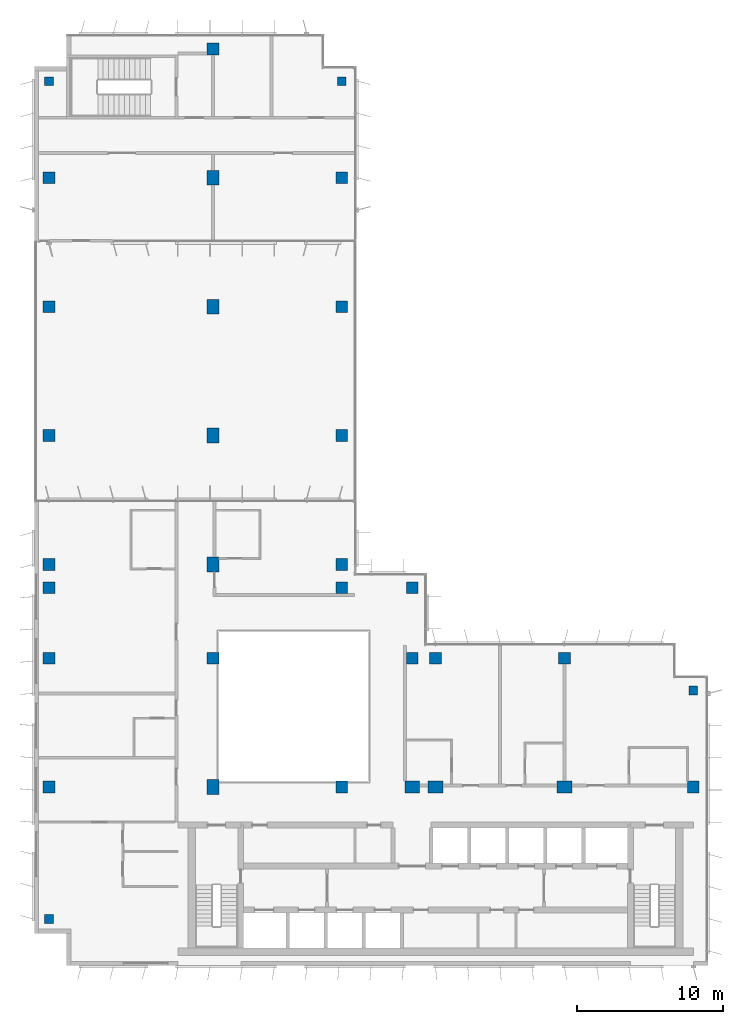
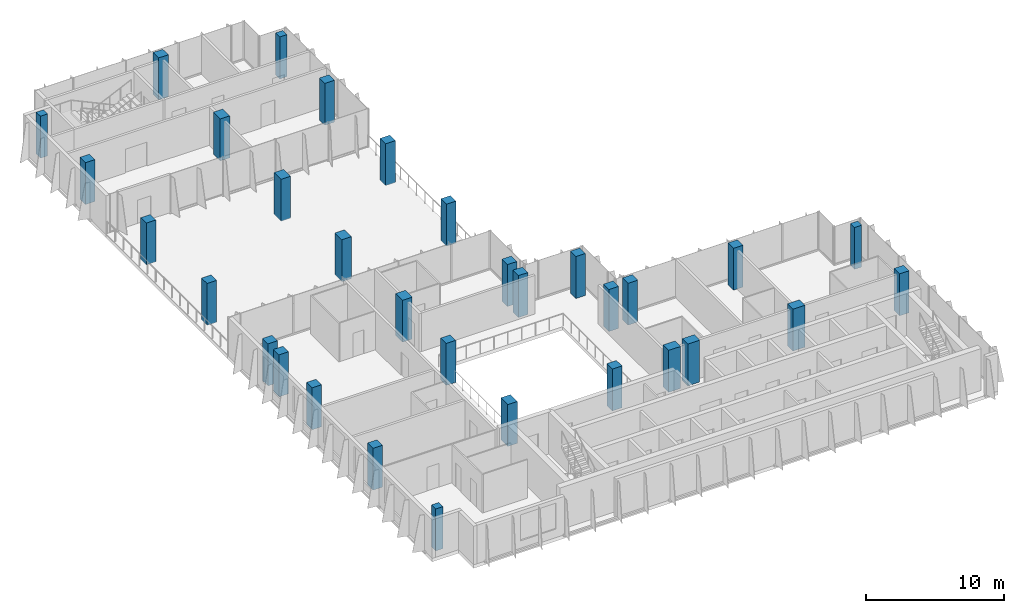
# One storey, part 1 of 15: 32 columns.
"""IFC4 building model written with IfcOpenShell, lengths in metres."""

import ifcopenshell
import ifcopenshell.guid

model = None  # the IFC model being written
_history = None  # IfcOwnerHistory: only IFC2X3 demands one
_inside = {}  # id of a spatial element -> (the spatial element, [elements in it])
_under = {}  # id of a project, library or spatial element -> (it, [spatial elements below it])
_declared = {}  # id of a project -> (the project, [libraries it declares])
_typed = {}  # id of a type object -> (the type object, [elements of that type])
_made_of = {}  # id of a material, layer set ... -> (it, [elements and type objects made of it])


def new_model(schema):
    """Start an empty IFC model of exactly this schema.

    Asked for "IFC4X3", IfcOpenShell would pick the latest addendum, in which some entities
    have other attributes; the version numbers below select the first issue.
    IFC2X3 requires an IfcOwnerHistory on every rooted entity: one is made here for all.
    """
    global model, _history
    if schema == "IFC4X3":
        model = ifcopenshell.file(schema_version=(4, 3, 0, 0))
    else:
        model = ifcopenshell.file(schema=schema)
    _inside.clear()
    _under.clear()
    _declared.clear()
    _typed.clear()
    _made_of.clear()
    _history = None
    if model.schema == "IFC2X3":
        org = make("IfcOrganization", Name="unknown")
        user = make(
            "IfcPersonAndOrganization",
            ThePerson=make("IfcPerson", FamilyName="unknown"),
            TheOrganization=org,
        )
        app = make(
            "IfcApplication",
            ApplicationDeveloper=org,
            Version="unknown",
            ApplicationFullName="unknown",
            ApplicationIdentifier="unknown",
        )
        _history = make(
            "IfcOwnerHistory",
            OwningUser=user,
            OwningApplication=app,
            ChangeAction="ADDED",
            CreationDate=0,
        )
    return model


def make(cls, **values):
    """One entity of the class cls with the attributes given. An attribute that is None is left unset."""
    return model.create_entity(
        cls, **{name: value for name, value in values.items() if value is not None}
    )


def rooted(cls, **values):
    """An entity with a GlobalId (a new one), such as an element, a storey or a relation."""
    return make(cls, GlobalId=ifcopenshell.guid.new(), OwnerHistory=_history, **values)


def si_unit(unit_type, name, prefix=None):
    """IfcSIUnit, for example si_unit("LENGTHUNIT", "METRE", prefix="MILLI")."""
    return make("IfcSIUnit", UnitType=unit_type, Prefix=prefix, Name=name)


def assignment(units):
    """IfcUnitAssignment: the units of a project."""
    return None if units is None else make("IfcUnitAssignment", Units=units)


def point(xyz):
    """IfcCartesianPoint."""
    return None if xyz is None else make("IfcCartesianPoint", Coordinates=xyz)


def direction(xyz):
    """IfcDirection."""
    return None if xyz is None else make("IfcDirection", DirectionRatios=xyz)


def frame(location, z_axis=None, x_axis=None):
    """IfcAxis2Placement3D, a coordinate frame: its origin and axes. An axis left out is left unset."""
    return make(
        "IfcAxis2Placement3D",
        Location=point(location),
        Axis=direction(z_axis),
        RefDirection=direction(x_axis),
    )


def frame_2d(location, x_axis=None):
    """IfcAxis2Placement2D, a coordinate frame in the plane: its origin and x axis."""
    return make(
        "IfcAxis2Placement2D", Location=point(location), RefDirection=direction(x_axis)
    )


def origin():
    """The frame at (0, 0, 0) with its axes left unset."""
    return frame((0.0, 0.0, 0.0))


def origin_2d():
    """The frame at (0, 0) in the plane with its x axis left unset."""
    return frame_2d((0.0, 0.0))


def place(relative_to, where):
    """IfcLocalPlacement: puts the frame where relative to a parent placement (None: the world)."""
    return make(
        "IfcLocalPlacement", PlacementRelTo=relative_to, RelativePlacement=where
    )


def context(
    kind, dimensions, precision=None, world=None, true_north=None, identifier=None
):
    """IfcGeometricRepresentationContext, for example the 3D "Model" context."""
    return make(
        "IfcGeometricRepresentationContext",
        ContextIdentifier=identifier,
        ContextType=kind,
        CoordinateSpaceDimension=dimensions,
        Precision=precision,
        WorldCoordinateSystem=world,
        TrueNorth=true_north,
    )


def subcontext(parent, identifier, kind, view, scale=None):
    """IfcGeometricRepresentationSubContext, for example "Body" below "Model"."""
    return make(
        "IfcGeometricRepresentationSubContext",
        ContextIdentifier=identifier,
        ContextType=kind,
        ParentContext=parent,
        TargetScale=scale,
        TargetView=view,
    )


def project(units=None, contexts=None):
    """IfcProject with its units and contexts."""
    return rooted(
        "IfcProject",
        Name="project",
        RepresentationContexts=contexts,
        UnitsInContext=assignment(units),
    )


def spatial(cls, under=None, at=None, **own):
    """A site, building, storey or space (cls), placed at a placement, below another one or the project."""
    s = rooted(cls, ObjectPlacement=at, **own)
    if under is not None:
        _under.setdefault(under.id(), (under, []))[1].append(s)
    return s


def profile(cls, at=None, kind="AREA", **sizes):
    """A parametric profile (cls). Its sizes go by their IFC names, for example OverallWidth=200.0."""
    return make(cls, ProfileType=kind, Position=at, **sizes)


def rectangle(**sizes):
    """IfcRectangleProfileDef."""
    return profile("IfcRectangleProfileDef", **sizes)


def extrude(swept, where, along, depth):
    """IfcExtrudedAreaSolid: the profile swept, set in the frame where, extruded along a direction by depth."""
    return make(
        "IfcExtrudedAreaSolid",
        SweptArea=swept,
        Position=where,
        ExtrudedDirection=direction(along),
        Depth=depth,
    )


def shape(context_of_items, identifier, shape_type, items):
    """IfcShapeRepresentation: the items that make up one representation, for example the "Body"."""
    return make(
        "IfcShapeRepresentation",
        ContextOfItems=context_of_items,
        RepresentationIdentifier=identifier,
        RepresentationType=shape_type,
        Items=items,
    )


def material(Name=None, Category=None):
    """IfcMaterial."""
    return make("IfcMaterial", Name=Name, Category=Category)


def material_profile(
    of_material, cross_section, Name=None, Category=None, Priority=None
):
    """IfcMaterialProfile: a cross section and its material."""
    return make(
        "IfcMaterialProfile",
        Name=Name,
        Material=of_material,
        Profile=cross_section,
        Priority=Priority,
        Category=Category,
    )


def profile_set(profiles, Name=None, composite=None):
    """IfcMaterialProfileSet."""
    return make(
        "IfcMaterialProfileSet",
        Name=Name,
        MaterialProfiles=profiles,
        CompositeProfile=composite,
    )


def made_of(thing, what):
    """Note that an element or type object is made of a material, layer set ...; save() writes the relation."""
    if what is not None:
        _made_of.setdefault(what.id(), (what, []))[1].append(thing)
    return thing


def type_object(cls, material=None, **own):
    """A type object (cls), such as IfcWallType, which elements share."""
    return made_of(rooted(cls, **own), material)


def element(
    cls,
    number,
    at=None,
    inside=None,
    cuts=None,
    type_object=None,
    material=None,
    context=None,
    identifier="Body",
    shape_type=None,
    held_by="IfcProductDefinitionShape",
    body=None,
    shapes=None,
    **own,
):
    """One element of the class cls, such as IfcWall. Its Tag is "e" and its number.

    at: its placement. inside: the storey or other place that contains it. cuts: it is an
    opening in that element (IfcRelVoidsElement). A single representation is given by context,
    identifier, shape_type and body (its items); several are given by shapes. held_by: the class
    of the entity that holds the representations. save() writes the other relations.
    """
    e = rooted(cls, Tag="e%d" % number, ObjectPlacement=at, **own)
    if body is not None:
        shapes = [shape(context, identifier, shape_type, body)]
    if shapes is not None:
        e.Representation = make(held_by, Representations=shapes)
    if inside is not None:
        _inside.setdefault(inside.id(), (inside, []))[1].append(e)
    if cuts is not None:
        rooted(
            "IfcRelVoidsElement", RelatingBuildingElement=cuts, RelatedOpeningElement=e
        )
    if type_object is not None:
        _typed.setdefault(type_object.id(), (type_object, []))[1].append(e)
    return made_of(e, material)


def aggregate(whole, parts):
    """IfcRelAggregates: a whole, such as a stair, and the parts it consists of."""
    return rooted("IfcRelAggregates", RelatingObject=whole, RelatedObjects=parts)


def save(model, path):
    """Write the relations noted so far, then the file.

    IfcRelAggregates (storeys below a building ...), IfcRelContainedInSpatialStructure (elements
    in a storey), IfcRelDefinesByType, IfcRelAssociatesMaterial and IfcRelDeclares: one each for
    every whole, place, type object, material and project.
    """
    for whole, parts in _under.values():
        aggregate(whole, parts)
    for where, things in _inside.values():
        rooted(
            "IfcRelContainedInSpatialStructure",
            RelatedElements=things,
            RelatingStructure=where,
        )
    for kind, things in _typed.values():
        rooted("IfcRelDefinesByType", RelatedObjects=things, RelatingType=kind)
    for what, things in _made_of.values():
        rooted("IfcRelAssociatesMaterial", RelatedObjects=things, RelatingMaterial=what)
    for by, libraries in _declared.values():
        rooted("IfcRelDeclares", RelatingContext=by, RelatedDefinitions=libraries)
    model.write(path)


model = new_model("IFC4")

# Units and contexts
model_context = context("Model", 3, precision=1e-05, world=origin(), true_north=direction((0.0, 1.0)))
body_context = subcontext(model_context, "Body", "Model", "MODEL_VIEW")
ifc_project = project(units=[si_unit("LENGTHUNIT", "METRE"), si_unit("AREAUNIT", "SQUARE_METRE"), si_unit("VOLUMEUNIT", "CUBIC_METRE"), si_unit("PLANEANGLEUNIT", "RADIAN"), si_unit("MASSUNIT", "GRAM", prefix="KILO")], contexts=[model_context])

# Site, building, storey
site_placement = place(None, origin())
site = spatial("IfcSite", under=ifc_project, at=site_placement, CompositionType="ELEMENT")
building_placement = place(site_placement, origin())
building = spatial("IfcBuilding", under=site, at=building_placement, Name="Kemantara Hotel Tower", CompositionType="ELEMENT")
storey_placement = place(building_placement, frame((0.0, 0.0, 241.300048828125)))
storey = spatial("IfcBuildingStorey", under=building, at=storey_placement, Name="L60", CompositionType="ELEMENT", Elevation=241.300048828125)

# Columns
ifc_material = material(Name="Concrete fc 60 MPa", Category="concrete")
ifc_material_profile_1 = material_profile(ifc_material, rectangle(XDim=1.0, YDim=0.800048828125, at=origin_2d()), Name="RC 1000X800")
ifc_profile_set_1 = profile_set([ifc_material_profile_1], Name="Concrete fc 60 MPa")
column_type_1 = type_object("IfcColumnType", Name="RC COLUMN 1000X800 FC60", PredefinedType="COLUMN", material=ifc_profile_set_1)
for number, where, z_axis, x_axis, name in (
    (1, (12.199951171875, 12.199951171875, 0.0), (0.0, 0.0, 1.0), (0.0, 1.0, 0.0), "COLUMN 2A/BA L60"),
    (2, (12.199951171875, 27.39990234375, 0.0), (0.0, 0.0, 1.0), (0.0, 1.0, 0.0), "COLUMN 2A/D L60"),
    (3, (12.199951171875, 36.199951171875, 0.0), (0.0, 0.0, 1.0), (0.0, 1.0, 0.0), "COLUMN 2A/E L60"),
    (4, (12.199951171875, 45.0, 0.0), (0.0, 0.0, 1.0), (0.0, 1.0, 0.0), "COLUMN 2A/F L60"),
    (5, (12.199951171875, 53.800048828125, 0.0), (0.0, 0.0, 1.0), (0.0, 1.0, 0.0), "COLUMN 2A/G L60"),
    (6, (25.800048828125, 12.199951171875, 0.0), (0.0, 0.0, 1.0), (1.0, 0.0, 0.0), "COLUMN 3A/BA L60"),
    (7, (27.39990234375, 12.199951171875, 0.0), (0.0, 0.0, 1.0), (1.0, 0.0, 0.0), "COLUMN 4/BA L60"),
    (8, (36.199951171875, 12.199951171875, 0.0), (0.0, 0.0, 1.0), (1.0, 0.0, 0.0), "COLUMN 5/BA L60"),
):
    element("IfcColumn", number, at=place(storey_placement, frame(where, z_axis=z_axis, x_axis=x_axis)), inside=storey, type_object=column_type_1, Name=name, PredefinedType="COLUMN", context=body_context, shape_type="SweptSolid", body=[
        extrude(rectangle(XDim=1.0, YDim=0.800048828125, at=origin_2d()), origin(), (0.0, 0.0, 1.0), 3.699951171875),
    ])
ifc_material_profile_2 = material_profile(ifc_material, rectangle(XDim=0.60009765625, YDim=0.60009765625, at=origin_2d()), Name="RC 600X600")
ifc_profile_set_2 = profile_set([ifc_material_profile_2], Name="Concrete fc 60 MPa")
column_type_2 = type_object("IfcColumnType", Name="RC COLUMN 600X600 FC60", PredefinedType="COLUMN", material=ifc_profile_set_2)
for number, where, z_axis, x_axis, name in (
    (9, (1.0, 3.199951171875, 0.0), (0.0, 0.0, 1.0), (1.0, 0.0, 0.0), "COLUMN notch corner L60"),
    (10, (1.0, 60.39990234375, 0.0), (0.0, 0.0, 1.0), (1.0, 0.0, 0.0), "COLUMN notch corner L60"),
    (11, (21.0, 60.39990234375, 0.0), (0.0, 0.0, 1.0), (1.0, 0.0, 0.0), "COLUMN notch corner L60"),
    (12, (45.0, 18.800048828125, 0.0), (0.0, 0.0, 1.0), (1.0, 0.0, 0.0), "COLUMN notch corner L60"),
):
    element("IfcColumn", number, at=place(storey_placement, frame(where, z_axis=z_axis, x_axis=x_axis)), inside=storey, type_object=column_type_2, Name=name, PredefinedType="COLUMN", context=body_context, shape_type="SweptSolid", body=[
        extrude(rectangle(XDim=0.60009765625, YDim=0.60009765625, at=origin_2d()), origin(), (0.0, 0.0, 1.0), 3.699951171875),
    ])
ifc_material_profile_3 = material_profile(ifc_material, rectangle(XDim=0.800048828125, YDim=0.800048828125, at=origin_2d()), Name="RC 800X800")
ifc_profile_set_3 = profile_set([ifc_material_profile_3], Name="Concrete fc 60 MPa")
column_type_3 = type_object("IfcColumnType", Name="RC COLUMN 800X800 FC60", PredefinedType="COLUMN", material=ifc_profile_set_3)
for number, where, z_axis, x_axis, name in (
    (13, (1.0, 12.199951171875, 0.0), (0.0, 0.0, 1.0), (1.0, 0.0, 0.0), "COLUMN 1/BA L60"),
    (14, (1.0, 21.0, 0.0), (0.0, 0.0, 1.0), (1.0, 0.0, 0.0), "COLUMN 1/C L60"),
    (15, (1.0, 25.800048828125, 0.0), (0.0, 0.0, 1.0), (1.0, 0.0, 0.0), "COLUMN 1/CA L60"),
    (16, (1.0, 27.39990234375, 0.0), (0.0, 0.0, 1.0), (1.0, 0.0, 0.0), "COLUMN 1/D L60"),
    (17, (1.0, 36.199951171875, 0.0), (0.0, 0.0, 1.0), (1.0, 0.0, 0.0), "COLUMN 1/E L60"),
    (18, (1.0, 45.0, 0.0), (0.0, 0.0, 1.0), (1.0, 0.0, 0.0), "COLUMN 1/F L60"),
    (19, (1.0, 53.800048828125, 0.0), (0.0, 0.0, 1.0), (1.0, 0.0, 0.0), "COLUMN 1/G L60"),
    (20, (12.199951171875, 21.0, 0.0), (0.0, 0.0, 1.0), (1.0, 0.0, 0.0), "COLUMN 2A/C L60"),
    (21, (12.199951171875, 62.60009765625, 0.0), (0.0, 0.0, 1.0), (1.0, 0.0, 0.0), "COLUMN 2A/H L60"),
    (22, (21.0, 12.199951171875, 0.0), (0.0, 0.0, 1.0), (1.0, 0.0, 0.0), "COLUMN 3/BA L60"),
    (23, (21.0, 25.800048828125, 0.0), (0.0, 0.0, 1.0), (1.0, 0.0, 0.0), "COLUMN 3/CA L60"),
    (24, (21.0, 27.39990234375, 0.0), (0.0, 0.0, 1.0), (1.0, 0.0, 0.0), "COLUMN 3/D L60"),
    (25, (21.0, 36.199951171875, 0.0), (0.0, 0.0, 1.0), (1.0, 0.0, 0.0), "COLUMN 3/E L60"),
    (26, (21.0, 45.0, 0.0), (0.0, 0.0, 1.0), (1.0, 0.0, 0.0), "COLUMN 3/F L60"),
    (27, (21.0, 53.800048828125, 0.0), (0.0, 0.0, 1.0), (1.0, 0.0, 0.0), "COLUMN 3/G L60"),
    (28, (25.800048828125, 21.0, 0.0), (0.0, 0.0, 1.0), (1.0, 0.0, 0.0), "COLUMN 3A/C L60"),
    (29, (25.800048828125, 25.800048828125, 0.0), (0.0, 0.0, 1.0), (1.0, 0.0, 0.0), "COLUMN 3A/CA L60"),
    (30, (27.39990234375, 21.0, 0.0), (0.0, 0.0, 1.0), (1.0, 0.0, 0.0), "COLUMN 4/C L60"),
    (31, (36.199951171875, 21.0, 0.0), (0.0, 0.0, 1.0), (1.0, 0.0, 0.0), "COLUMN 5/C L60"),
    (32, (45.0, 12.199951171875, 0.0), (0.0, 0.0, 1.0), (1.0, 0.0, 0.0), "COLUMN 6/BA L60"),
):
    element("IfcColumn", number, at=place(storey_placement, frame(where, z_axis=z_axis, x_axis=x_axis)), inside=storey, type_object=column_type_3, Name=name, PredefinedType="COLUMN", context=body_context, shape_type="SweptSolid", body=[
        extrude(rectangle(XDim=0.800048828125, YDim=0.800048828125, at=origin_2d()), origin(), (0.0, 0.0, 1.0), 3.699951171875),
    ])

save(model, "model.ifc")
